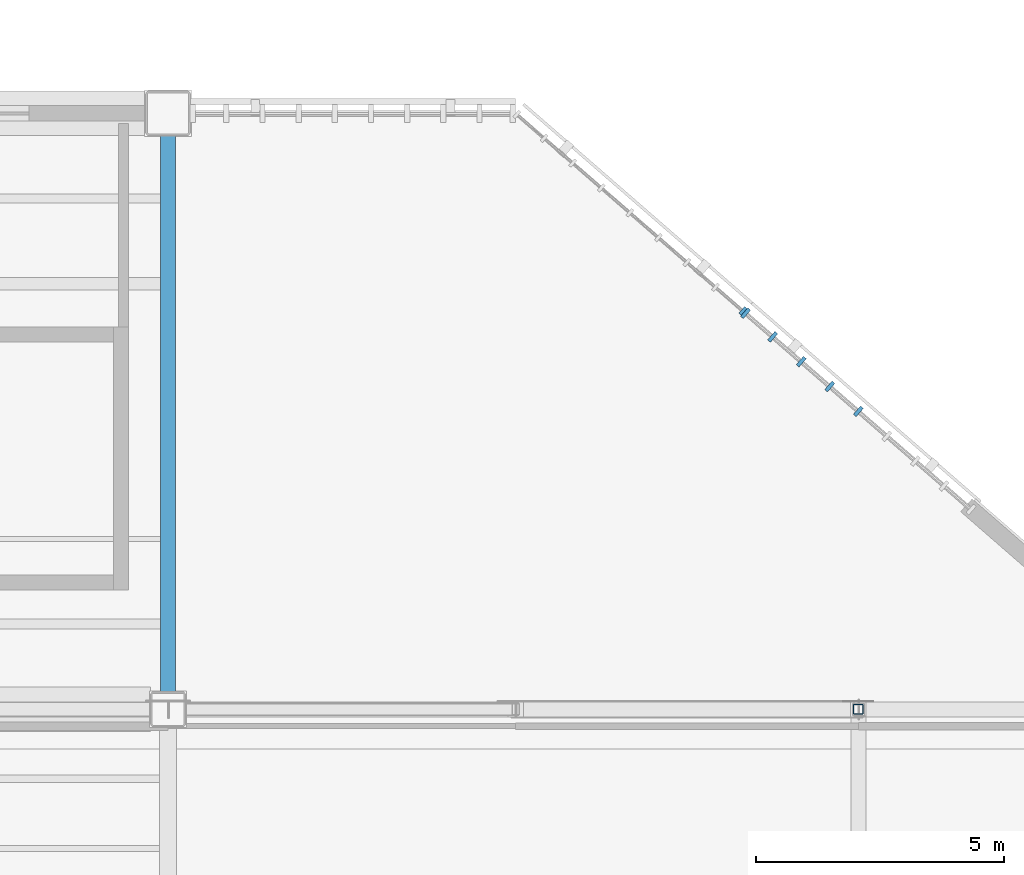
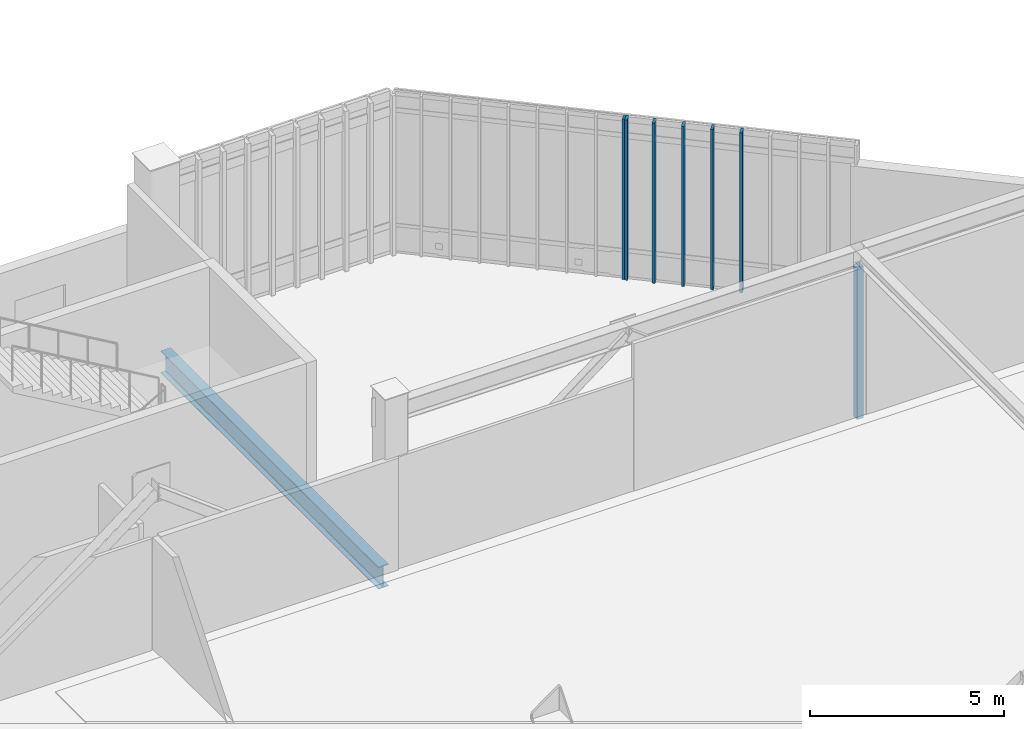
# One storey, part 39 of 135: 7 members, 1 beam, 2 elements without a shape of their own.
"""IFC4 building model written with IfcOpenShell, lengths in metres."""

from ifc_helpers import new_model, si_unit, direction, frame, origin, origin_2d, place, context, subcontext, project, spatial, rectangle, hollow_rectangle, i_section, extrude, material, material_profile, profile_set, type_object, element, aggregate, save


model = new_model("IFC4")

# Units and contexts
model_context = context("Model", 3, precision=1e-05, world=origin(), true_north=direction((0.0, 1.0)))
body_context = subcontext(model_context, "Body", "Model", "MODEL_VIEW")
ifc_project = project(units=[si_unit("LENGTHUNIT", "METRE"), si_unit("AREAUNIT", "SQUARE_METRE"), si_unit("VOLUMEUNIT", "CUBIC_METRE"), si_unit("PLANEANGLEUNIT", "RADIAN"), si_unit("MASSUNIT", "GRAM", prefix="KILO")], contexts=[model_context])

# Site, building, storey
site_placement = place(None, origin())
site = spatial("IfcSite", under=ifc_project, at=site_placement, CompositionType="ELEMENT")
building_placement = place(site_placement, origin())
building = spatial("IfcBuilding", under=site, at=building_placement, Name="Larkvane Passage Sports Hall", CompositionType="ELEMENT")
storey_placement = place(building_placement, frame((0.0, 0.0, 16.800048828125)))
storey = spatial("IfcBuildingStorey", under=building, at=storey_placement, Name="L03", CompositionType="ELEMENT", Elevation=16.800048828125)

# Beam
ifc_material_1 = material(Name="Steel S460N", Category="steel")
ifc_material_profile_1 = material_profile(ifc_material_1, i_section(OverallWidth=0.300048828125, OverallDepth=0.69189453125, WebThickness=0.012939453125, FlangeThickness=0.02001953125, FilletRadius=0.02197265625, at=origin_2d()), Name="H-692x300x13x20")
ifc_profile_set_1 = profile_set([ifc_material_profile_1], Name="Steel S460N")
beam_type = type_object("IfcBeamType", Name="BM-STL-H692", PredefinedType="BEAM", material=ifc_profile_set_1)
beam_placement = place(storey_placement, frame((145.60009765625, 39.949951171875, -0.68603515625), z_axis=(0.0, 1.0, 0.0), x_axis=(-1.0, 0.0, 0.0)))
element("IfcBeam", 1, at=beam_placement, inside=storey, type_object=beam_type, Name="Girder BM5-Y-L03-19-1050", PredefinedType="BEAM", context=body_context, shape_type="SweptSolid", body=[
    extrude(i_section(OverallWidth=0.300048828125, OverallDepth=0.69189453125, WebThickness=0.012939453125, FlangeThickness=0.02001953125, FilletRadius=0.02197265625, at=origin_2d()), origin(), (0.0, 0.0, 1.0), 11.199951171875),
])

# Curtain wall, member
ifc_material_2 = material(Name="Thermally broken aluminium and low-E glazing", Category="aluminium")
curtain_wall_type_1 = type_object("IfcCurtainWallType", Name="CW-UNIT-COURT", PredefinedType="USERDEFINED", material=ifc_material_2)
curtain_wall_1_placement = place(storey_placement, origin())
curtain_wall_1 = element("IfcCurtainWall", 2, at=curtain_wall_1_placement, inside=storey, type_object=curtain_wall_type_1, Name="Curtain wall CW5-L03-112", ObjectType="UNITISED CURTAIN WALL", PredefinedType="USERDEFINED")
ifc_material_3 = material(Name="Anodised aluminium 6063-T6", Category="aluminium")
ifc_material_profile_2 = material_profile(ifc_material_3, rectangle(XDim=0.06494140625, YDim=0.179931640625, at=origin_2d()), Name="ALU-MUL-65x180")
ifc_profile_set_2 = profile_set([ifc_material_profile_2], Name="Anodised aluminium 6063-T6")
member_type_1 = type_object("IfcMemberType", Name="CW-MUL-65x180", PredefinedType="MULLION", material=ifc_profile_set_2)
member_1_placement = place(storey_placement, frame((157.175537109375, 47.621337890625, 0.0), z_axis=(0.0, 0.0, 1.0), x_axis=(0.754605522159, -0.65617871493, 0.0)))
member_1 = element("IfcMember", 3, at=member_1_placement, type_object=member_type_1, Name="CW-01 mullion 9", PredefinedType="MULLION", context=body_context, shape_type="SweptSolid", body=[
    extrude(rectangle(XDim=0.06494140625, YDim=0.179931640625, at=origin_2d()), origin(), (0.0, 0.0, 1.0), 5.030029296875),
])
aggregate(curtain_wall_1, [member_1])

# Curtain wall, members
curtain_wall_type_2 = type_object("IfcCurtainWallType", Name="CW-UNIT-VEIL", PredefinedType="USERDEFINED", material=ifc_material_2)
curtain_wall_2_placement = place(storey_placement, origin())
curtain_wall_2 = element("IfcCurtainWall", 4, at=curtain_wall_2_placement, inside=storey, type_object=curtain_wall_type_2, Name="Curtain wall CW5-L03-113", ObjectType="UNITISED CURTAIN WALL", PredefinedType="USERDEFINED")
ifc_material_profile_3 = material_profile(ifc_material_3, rectangle(XDim=0.074951171875, YDim=0.22509765625, at=origin_2d()), Name="ALU-MUL-75x225")
ifc_profile_set_3 = profile_set([ifc_material_profile_3], Name="Anodised aluminium 6063-T6")
member_type_2 = type_object("IfcMemberType", Name="CW-MUL-75x225", PredefinedType="MULLION", material=ifc_profile_set_3)
member_2_placement = place(storey_placement, frame((157.228271484375, 47.575439453125, 0.0), z_axis=(0.0, 0.0, 1.0), x_axis=(0.754605522159, -0.65617871493, 0.0)))
member_2 = element("IfcMember", 5, at=member_2_placement, type_object=member_type_2, Name="CW-02 mullion 1", PredefinedType="MULLION", context=body_context, shape_type="SweptSolid", body=[
    extrude(rectangle(XDim=0.074951171875, YDim=0.22509765625, at=origin_2d()), origin(), (0.0, 0.0, 1.0), 5.030029296875),
])
member_3_placement = place(storey_placement, frame((157.77490234375, 47.10009765625, 0.0), z_axis=(0.0, 0.0, 1.0), x_axis=(0.754605522159, -0.65617871493, 0.0)))
member_3 = element("IfcMember", 6, at=member_3_placement, type_object=member_type_2, Name="CW-02 mullion 2", PredefinedType="MULLION", context=body_context, shape_type="SweptSolid", body=[
    extrude(rectangle(XDim=0.074951171875, YDim=0.22509765625, at=origin_2d()), origin(), (0.0, 0.0, 1.0), 5.030029296875),
])
member_4_placement = place(storey_placement, frame((158.35009765625, 46.60009765625, 0.0), z_axis=(0.0, 0.0, 1.0), x_axis=(0.754605522159, -0.65617871493, 0.0)))
member_4 = element("IfcMember", 7, at=member_4_placement, type_object=member_type_2, Name="CW-02 mullion 3", PredefinedType="MULLION", context=body_context, shape_type="SweptSolid", body=[
    extrude(rectangle(XDim=0.074951171875, YDim=0.22509765625, at=origin_2d()), origin(), (0.0, 0.0, 1.0), 5.030029296875),
])
member_5_placement = place(storey_placement, frame((158.925048828125, 46.10009765625, 0.0), z_axis=(0.0, 0.0, 1.0), x_axis=(0.754605522159, -0.65617871493, 0.0)))
member_5 = element("IfcMember", 8, at=member_5_placement, type_object=member_type_2, Name="CW-02 mullion 4", PredefinedType="MULLION", context=body_context, shape_type="SweptSolid", body=[
    extrude(rectangle(XDim=0.074951171875, YDim=0.22509765625, at=origin_2d()), origin(), (0.0, 0.0, 1.0), 5.030029296875),
])
member_6_placement = place(storey_placement, frame((159.5, 45.60009765625, 0.0), z_axis=(0.0, 0.0, 1.0), x_axis=(0.754605522159, -0.65617871493, 0.0)))
member_6 = element("IfcMember", 9, at=member_6_placement, type_object=member_type_2, Name="CW-02 mullion 5", PredefinedType="MULLION", context=body_context, shape_type="SweptSolid", body=[
    extrude(rectangle(XDim=0.074951171875, YDim=0.22509765625, at=origin_2d()), origin(), (0.0, 0.0, 1.0), 5.030029296875),
])
aggregate(curtain_wall_2, [member_2, member_3, member_4, member_5, member_6])

# Member
ifc_material_profile_4 = material_profile(ifc_material_1, hollow_rectangle(XDim=0.199951171875, YDim=0.199951171875, WallThickness=0.009033203125, InnerFilletRadius=0.009033203125, OuterFilletRadius=0.01806640625, at=origin_2d()), Name="SHS-200x200x9")
ifc_profile_set_4 = profile_set([ifc_material_profile_4], Name="Steel S460N")
member_type_3 = type_object("IfcMemberType", Name="MBR-ST-SHS200", PredefinedType="STRUT", material=ifc_profile_set_4)
member_7_placement = place(storey_placement, frame((159.5, 39.60009765625, -0.320068359375), z_axis=(0.0, 0.0, 1.0), x_axis=(1.0, 0.0, 0.0)))
element("IfcMember", 10, at=member_7_placement, inside=storey, type_object=member_type_3, Name="Cantilever truss CT-E3A-2 vertical post 5", PredefinedType="STRUT", context=body_context, shape_type="SweptSolid", body=[
    extrude(hollow_rectangle(XDim=0.199951171875, YDim=0.199951171875, WallThickness=0.009033203125, InnerFilletRadius=0.009033203125, OuterFilletRadius=0.01806640625, at=origin_2d()), origin(), (0.0, 0.0, 1.0), 4.751953125),
])

save(model, "model.ifc")
